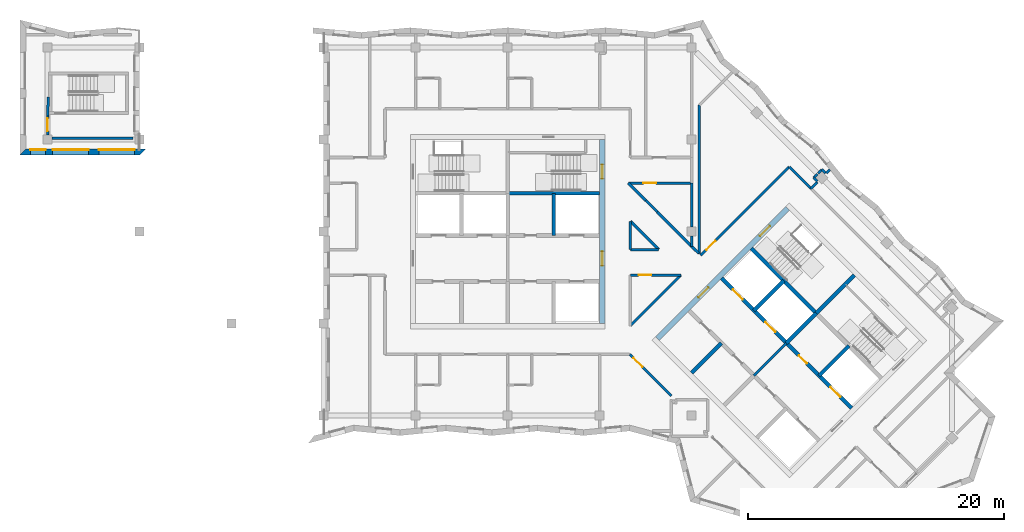
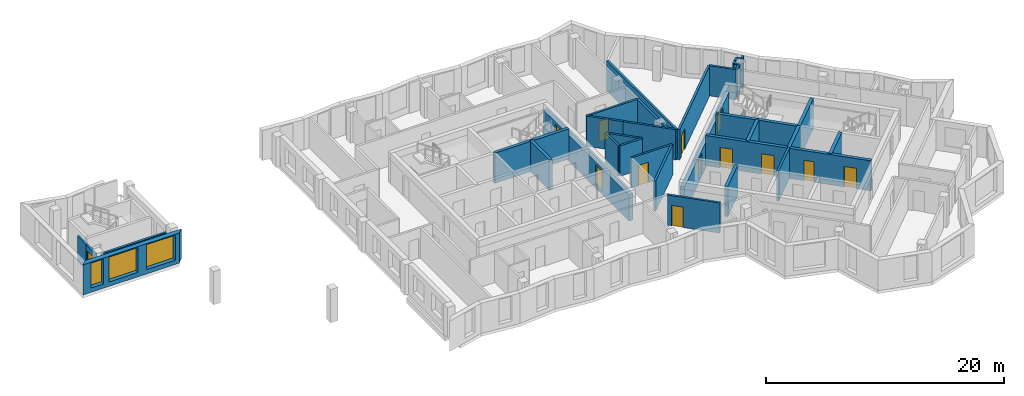
# One storey, part 4 of 12: 37 walls, 13 doors, 3 windows, 16 openings.
"""IFC4 building model written with IfcOpenShell, lengths in metres."""

from ifc_helpers import new_model, si_unit, direction, frame, frame_2d, origin, place, context, subcontext, project, spatial, polyline, rectangle, outline, extrude, material, layer, layer_set, type_object, element, fill, save


model = new_model("IFC4")

# Units and contexts
model_context = context("Model", 3, precision=1e-05, world=origin(), true_north=direction((0.0, 1.0)))
body_context = subcontext(model_context, "Body", "Model", "MODEL_VIEW")
ifc_project = project(units=[si_unit("LENGTHUNIT", "METRE"), si_unit("AREAUNIT", "SQUARE_METRE"), si_unit("VOLUMEUNIT", "CUBIC_METRE"), si_unit("PLANEANGLEUNIT", "RADIAN"), si_unit("MASSUNIT", "GRAM", prefix="KILO")], contexts=[model_context])

# Site, building, storey
site_placement = place(None, origin())
site = spatial("IfcSite", under=ifc_project, at=site_placement, CompositionType="ELEMENT")
building_placement = place(site_placement, origin())
building = spatial("IfcBuilding", under=site, at=building_placement, Name="Windrow Commons", CompositionType="ELEMENT")
storey_placement = place(building_placement, frame((0.0, 0.0, 250.6)))
storey = spatial("IfcBuildingStorey", under=building, at=storey_placement, Name="L68", CompositionType="ELEMENT", Elevation=250.6)

# Wall, openings, windows
ifc_material_1 = material(Name="Brick masonry, red clay brick", Category="masonry")
ifc_layer_1 = layer(ifc_material_1, 0.45)
ifc_layer_set_1 = layer_set([ifc_layer_1], Name="Brick facade wall 450")
wall_type_1 = type_object("IfcWallType", Name="Brick facade wall 450", PredefinedType="SOLIDWALL", material=ifc_layer_set_1)
wall_1_placement = place(storey_placement, frame((26.864, 63.825, 0.0), z_axis=(0.0, 0.0, 1.0), x_axis=(1.0, 0.0, 0.0)))
wall_1 = element("IfcWall", 1, at=wall_1_placement, inside=storey, type_object=wall_type_1, Name="Brick facade wall L68 32", PredefinedType="SOLIDWALL", context=body_context, shape_type="SweptSolid", body=[
    extrude(outline(polyline([(-0.225, -0.225), (9.136, -0.225), (9.586, 0.225), (0.225, 0.225), (-0.225, -0.225)])), origin(), (0.0, 0.0, 1.0), 3.1),
])
opening_1_placement = place(wall_1_placement, frame((2.336, 0.0, 0.45)))
opening_1 = element("IfcOpeningElement", 2, at=opening_1_placement, cuts=wall_1, Name="Opening W1V", PredefinedType="OPENING", context=body_context, shape_type="SweptSolid", body=[
    extrude(rectangle(XDim=2.8, YDim=2.55, at=frame_2d((1.4, 1.275))), frame((0.0, 0.235, 0.0), z_axis=(0.0, -1.0, 0.0), x_axis=(1.0, 0.0, 0.0)), (0.0, 0.0, 1.0), 0.47),
])
opening_2_placement = place(wall_1_placement, frame((5.9485, 0.0, 0.45)))
opening_2 = element("IfcOpeningElement", 3, at=opening_2_placement, cuts=wall_1, Name="Opening W1V", PredefinedType="OPENING", context=body_context, shape_type="SweptSolid", body=[
    extrude(rectangle(XDim=2.8, YDim=2.55, at=frame_2d((1.4, 1.275))), frame((0.0, 0.235, 0.0), z_axis=(0.0, -1.0, 0.0), x_axis=(1.0, 0.0, 0.0)), (0.0, 0.0, 1.0), 0.47),
])
opening_3_placement = place(wall_1_placement, frame((0.5805, 0.0, 0.45)))
opening_3 = element("IfcOpeningElement", 4, at=opening_3_placement, cuts=wall_1, Name="Opening W7F", PredefinedType="OPENING", context=body_context, shape_type="SweptSolid", body=[
    extrude(rectangle(XDim=1.2, YDim=2.55, at=frame_2d((0.6, 1.275))), frame((0.0, 0.235, 0.0), z_axis=(0.0, -1.0, 0.0), x_axis=(1.0, 0.0, 0.0)), (0.0, 0.0, 1.0), 0.47),
])
ifc_material_2 = material(Name="Clear float glass in anodised aluminium frame", Category="aluminium")
window_type_1 = type_object("IfcWindowType", Name="Window W1V bedroom 2800x2550", PartitioningType="SINGLE_PANEL", PredefinedType="WINDOW", material=ifc_material_2)
window_1_placement = place(opening_1_placement, origin())
window_1 = element("IfcWindow", 5, at=window_1_placement, inside=storey, type_object=window_type_1, Name="Window L68 32.1", OverallHeight=2.55, OverallWidth=2.8, PartitioningType="SINGLE_PANEL", PredefinedType="WINDOW", context=body_context, shape_type="SweptSolid", body=[
    extrude(rectangle(XDim=2.8, YDim=2.55, at=frame_2d((1.4, 1.275))), frame((0.0, 0.205, 0.0), z_axis=(0.0, -1.0, 0.0), x_axis=(1.0, 0.0, 0.0)), (0.0, 0.0, 1.0), 0.06),
])
fill(opening_1, window_1)
window_2_placement = place(opening_2_placement, origin())
window_2 = element("IfcWindow", 6, at=window_2_placement, inside=storey, type_object=window_type_1, Name="Window L68 32.2", OverallHeight=2.55, OverallWidth=2.8, PartitioningType="SINGLE_PANEL", PredefinedType="WINDOW", context=body_context, shape_type="SweptSolid", body=[
    extrude(rectangle(XDim=2.8, YDim=2.55, at=frame_2d((1.4, 1.275))), frame((0.0, 0.205, 0.0), z_axis=(0.0, -1.0, 0.0), x_axis=(1.0, 0.0, 0.0)), (0.0, 0.0, 1.0), 0.06),
])
fill(opening_2, window_2)
ifc_material_3 = material(Name="Clear float glass in anodised aluminium frame", Category="aluminium")
window_type_2 = type_object("IfcWindowType", Name="Window W7 notch 1200x2550", PartitioningType="SINGLE_PANEL", PredefinedType="WINDOW", material=ifc_material_3)
window_3_placement = place(opening_3_placement, origin())
window_3 = element("IfcWindow", 7, at=window_3_placement, inside=storey, type_object=window_type_2, Name="Window L68 32.3", OverallHeight=2.55, OverallWidth=1.2, PartitioningType="SINGLE_PANEL", PredefinedType="WINDOW", context=body_context, shape_type="SweptSolid", body=[
    extrude(rectangle(XDim=1.2, YDim=2.55, at=frame_2d((0.6, 1.275))), frame((0.0, 0.205, 0.0), z_axis=(0.0, -1.0, 0.0), x_axis=(1.0, 0.0, 0.0)), (0.0, 0.0, 1.0), 0.06),
])
fill(opening_3, window_3)

# Wall
ifc_material_4 = material(Name="Blockwork partition", Category="masonry")
ifc_layer_2 = layer(ifc_material_4, 0.2)
ifc_layer_set_2 = layer_set([ifc_layer_2], Name="Fire lobby partition 200")
wall_type_2 = type_object("IfcWallType", Name="Fire lobby partition 200", PredefinedType="PARTITIONING", material=ifc_layer_set_2)
wall_2_placement = place(storey_placement, frame((84.079, 46.332, 0.0), z_axis=(0.0, 0.0, 1.0), x_axis=(0.7071067812, 0.7071067812, 0.0)))
element("IfcWall", 8, at=wall_2_placement, inside=storey, type_object=wall_type_2, Name="W-core-lobby-B-L68", PredefinedType="PARTITIONING", context=body_context, shape_type="SweptSolid", body=[
    extrude(rectangle(XDim=3.6, YDim=0.2, at=frame_2d((1.8, 0.0))), origin(), (0.0, 0.0, 1.0), 3.1),
])

# Wall, opening, door
ifc_material_5 = material(Name="Blockwork partition", Category="masonry")
ifc_layer_3 = layer(ifc_material_5, 0.2)
ifc_layer_set_3 = layer_set([ifc_layer_3], Name="IW-CORRIDOR-200")
wall_type_3 = type_object("IfcWallType", Name="IW-CORRIDOR-200", PredefinedType="PARTITIONING", material=ifc_layer_set_3)
wall_3_placement = place(storey_placement, frame((79.9075, 55.7385, 0.0), z_axis=(0.0, 0.0, 1.0), x_axis=(0.7071067812, 0.7071067812, 0.0)))
wall_3 = element("IfcWall", 9, at=wall_3_placement, inside=storey, type_object=wall_type_3, Name="W-L68-W006", PredefinedType="PARTITIONING", context=body_context, shape_type="SweptSolid", body=[
    extrude(rectangle(XDim=9.7977, YDim=0.2, at=frame_2d((4.8989, 0.0))), origin(), (0.0, 0.0, 1.0), 3.1),
])
opening_4_placement = place(wall_3_placement, frame((0.617, 0.0, 0.0)))
opening_4 = element("IfcOpeningElement", 10, at=opening_4_placement, cuts=wall_3, Name="Opening D310F", PredefinedType="OPENING", context=body_context, shape_type="SweptSolid", body=[
    extrude(rectangle(XDim=1.0, YDim=2.1, at=frame_2d((0.5, 1.05))), frame((0.0, 0.11, 0.0), z_axis=(0.0, -1.0, 0.0), x_axis=(1.0, 0.0, 0.0)), (0.0, 0.0, 1.0), 0.22),
])
ifc_material_6 = material(Name="Timber door leaf", Category="wood")
door_type_1 = type_object("IfcDoorType", Name="DT-AMENITY-1000", OperationType="SINGLE_SWING_LEFT", PredefinedType="DOOR", material=ifc_material_6)
door_1_placement = place(opening_4_placement, origin())
door_1 = element("IfcDoor", 11, at=door_1_placement, inside=storey, type_object=door_type_1, Name="D-L68-D019", OperationType="SINGLE_SWING_RIGHT", OverallHeight=2.1, OverallWidth=1.0, PredefinedType="DOOR", context=body_context, shape_type="SweptSolid", body=[
    extrude(rectangle(XDim=1.0, YDim=2.1, at=frame_2d((0.5, 1.05))), frame((0.0, 0.025, 0.0), z_axis=(0.0, -1.0, 0.0), x_axis=(1.0, 0.0, 0.0)), (0.0, 0.0, 1.0), 0.05),
])
fill(opening_4, door_1)

# Walls
wall_4_placement = place(storey_placement, frame((29.15, 64.9, 0.0), z_axis=(0.0, 0.0, 1.0), x_axis=(1.0, 0.0, 0.0)))
element("IfcWall", 12, at=wall_4_placement, inside=storey, type_object=wall_type_3, Name="W-L68-W014", PredefinedType="PARTITIONING", context=body_context, shape_type="SweptSolid", body=[
    extrude(rectangle(XDim=6.32, YDim=0.2, at=frame_2d((3.16, 0.0))), origin(), (0.0, 0.0, 1.0), 2.6),
])
wall_5_placement = place(storey_placement, frame((74.4015, 50.2325, 0.0), z_axis=(0.0, 0.0, 1.0), x_axis=(0.7071067812, 0.7071067812, 0.0)))
element("IfcWall", 13, at=wall_5_placement, inside=storey, type_object=wall_type_3, Name="W-L68-W017", PredefinedType="PARTITIONING", context=body_context, shape_type="SweptSolid", body=[
    extrude(rectangle(XDim=5.6088, YDim=0.2, at=frame_2d((2.8044, 0.0))), origin(), (0.0, 0.0, 1.0), 3.1),
])

# Wall, opening, door
wall_6_placement = place(storey_placement, frame((74.246, 61.4, 0.0), z_axis=(0.0, 0.0, 1.0), x_axis=(1.0, 0.0, 0.0)))
wall_6 = element("IfcWall", 14, at=wall_6_placement, inside=storey, type_object=wall_type_3, Name="W-L68-W019", PredefinedType="PARTITIONING", context=body_context, shape_type="SweptSolid", body=[
    extrude(rectangle(XDim=4.954, YDim=0.2, at=frame_2d((2.477, 0.0))), origin(), (0.0, 0.0, 1.0), 3.1),
])
opening_5_placement = place(wall_6_placement, frame((1.1698, 0.0, 0.0)))
opening_5 = element("IfcOpeningElement", 15, at=opening_5_placement, cuts=wall_6, Name="Opening D310F", PredefinedType="OPENING", context=body_context, shape_type="SweptSolid", body=[
    extrude(rectangle(XDim=1.0, YDim=2.1, at=frame_2d((0.5, 1.05))), frame((0.0, 0.11, 0.0), z_axis=(0.0, -1.0, 0.0), x_axis=(1.0, 0.0, 0.0)), (0.0, 0.0, 1.0), 0.22),
])
door_2_placement = place(opening_5_placement, origin())
door_2 = element("IfcDoor", 16, at=door_2_placement, inside=storey, type_object=door_type_1, Name="D-L68-D017", OperationType="SINGLE_SWING_RIGHT", OverallHeight=2.1, OverallWidth=1.0, PredefinedType="DOOR", context=body_context, shape_type="SweptSolid", body=[
    extrude(rectangle(XDim=1.0, YDim=2.1, at=frame_2d((0.5, 1.05))), frame((0.0, 0.025, 0.0), z_axis=(0.0, -1.0, 0.0), x_axis=(1.0, 0.0, 0.0)), (0.0, 0.0, 1.0), 0.05),
])
fill(opening_5, door_2)

wall_7_placement = place(storey_placement, frame((74.3468, 47.9968, 0.0), z_axis=(0.0, 0.0, 1.0), x_axis=(0.7071067812, -0.7071067812, 0.0)))
wall_7 = element("IfcWall", 17, at=wall_7_placement, inside=storey, type_object=wall_type_3, Name="W-L68-W023", PredefinedType="PARTITIONING", context=body_context, shape_type="SweptSolid", body=[
    extrude(rectangle(XDim=4.5962, YDim=0.2, at=frame_2d((2.2981, 0.0))), origin(), (0.0, 0.0, 1.0), 3.1),
])
opening_6_placement = place(wall_7_placement, frame((0.4007, 0.0, 0.0)))
opening_6 = element("IfcOpeningElement", 18, at=opening_6_placement, cuts=wall_7, Name="Opening D310F", PredefinedType="OPENING", context=body_context, shape_type="SweptSolid", body=[
    extrude(rectangle(XDim=1.0, YDim=2.1, at=frame_2d((0.5, 1.05))), frame((0.0, 0.11, 0.0), z_axis=(0.0, -1.0, 0.0), x_axis=(1.0, 0.0, 0.0)), (0.0, 0.0, 1.0), 0.22),
])
door_3_placement = place(opening_6_placement, origin())
door_3 = element("IfcDoor", 19, at=door_3_placement, inside=storey, type_object=door_type_1, Name="D-L68-D006", OperationType="SINGLE_SWING_LEFT", OverallHeight=2.1, OverallWidth=1.0, PredefinedType="DOOR", context=body_context, shape_type="SweptSolid", body=[
    extrude(rectangle(XDim=1.0, YDim=2.1, at=frame_2d((0.5, 1.05))), frame((0.0, 0.025, 0.0), z_axis=(0.0, -1.0, 0.0), x_axis=(1.0, 0.0, 0.0)), (0.0, 0.0, 1.0), 0.05),
])
fill(opening_6, door_3)

# Wall
wall_8_placement = place(storey_placement, frame((76.5129, 59.1309, 0.0), z_axis=(0.0, 0.0, 1.0), x_axis=(0.7073586681, -0.7068548045, 0.0)))
element("IfcWall", 20, at=wall_8_placement, inside=storey, type_object=wall_type_3, Name="W-L68-W024", PredefinedType="PARTITIONING", context=body_context, shape_type="SweptSolid", body=[
    extrude(rectangle(XDim=4.5647, YDim=0.2, at=frame_2d((2.2824, 0.0))), origin(), (0.0, 0.0, 1.0), 3.1),
])

# Wall, opening, door
wall_9_placement = place(storey_placement, frame((74.402, 54.2, 0.0), z_axis=(0.0, 0.0, 1.0), x_axis=(1.0, 0.0, 0.0)))
wall_9 = element("IfcWall", 21, at=wall_9_placement, inside=storey, type_object=wall_type_3, Name="W-L68-W032", PredefinedType="PARTITIONING", context=body_context, shape_type="SweptSolid", body=[
    extrude(rectangle(XDim=3.966, YDim=0.2, at=frame_2d((1.983, 0.0))), origin(), (0.0, 0.0, 1.0), 3.1),
])
opening_7_placement = place(wall_9_placement, frame((0.6487, 0.0, 0.0)))
opening_7 = element("IfcOpeningElement", 22, at=opening_7_placement, cuts=wall_9, Name="Opening D410F", PredefinedType="OPENING", context=body_context, shape_type="SweptSolid", body=[
    extrude(rectangle(XDim=1.0, YDim=2.1, at=frame_2d((0.5, 1.05))), frame((0.0, 0.11, 0.0), z_axis=(0.0, -1.0, 0.0), x_axis=(1.0, 0.0, 0.0)), (0.0, 0.0, 1.0), 0.22),
])
ifc_material_7 = material(Name="Timber door leaf", Category="wood")
door_type_2 = type_object("IfcDoorType", Name="DT-SERVICE-1000", OperationType="SINGLE_SWING_LEFT", PredefinedType="DOOR", material=ifc_material_7)
door_4_placement = place(opening_7_placement, origin())
door_4 = element("IfcDoor", 23, at=door_4_placement, inside=storey, type_object=door_type_2, Name="D-L68-D007", OperationType="SINGLE_SWING_RIGHT", OverallHeight=2.1, OverallWidth=1.0, PredefinedType="DOOR", context=body_context, shape_type="SweptSolid", body=[
    extrude(rectangle(XDim=1.0, YDim=2.1, at=frame_2d((0.5, 1.05))), frame((0.0, 0.025, 0.0), z_axis=(0.0, -1.0, 0.0), x_axis=(1.0, 0.0, 0.0)), (0.0, 0.0, 1.0), 0.05),
])
fill(opening_7, door_4)

# Walls
wall_10_placement = place(storey_placement, frame((74.4055, 58.4175, 0.0), z_axis=(0.0, 0.0, 1.0), x_axis=(0.7071067812, -0.7071067812, 0.0)))
element("IfcWall", 24, at=wall_10_placement, inside=storey, type_object=wall_type_3, Name="W-L68-W039", PredefinedType="PARTITIONING", context=body_context, shape_type="SweptSolid", body=[
    extrude(rectangle(XDim=3.1282, YDim=0.2, at=frame_2d((1.5641, 0.0))), origin(), (0.0, 0.0, 1.0), 3.1),
])
wall_11_placement = place(storey_placement, frame((86.8413, 62.6693, 0.0), z_axis=(0.0, 0.0, 1.0), x_axis=(0.7071067812, -0.7071067812, 0.0)))
element("IfcWall", 25, at=wall_11_placement, inside=storey, type_object=wall_type_3, Name="W-L68-W053", PredefinedType="PARTITIONING", context=body_context, shape_type="SweptSolid", body=[
    extrude(rectangle(XDim=2.3985, YDim=0.2, at=frame_2d((1.1992, 0.0))), origin(), (0.0, 0.0, 1.0), 3.1),
])
for number, where, z_axis, x_axis, name in (
    (26, (74.4, 56.202, 0.0), (0.0, 0.0, 1.0), (0.0, 1.0, 0.0), "W-L68-W056"),
    (27, (74.402, 56.2, 0.0), (0.0, 0.0, 1.0), (1.0, 0.0, 0.0), "W-L68-W057"),
):
    element("IfcWall", number, at=place(storey_placement, frame(where, z_axis=z_axis, x_axis=x_axis)), inside=storey, type_object=wall_type_3, Name=name, PredefinedType="PARTITIONING", context=body_context, shape_type="SweptSolid", body=[
        extrude(rectangle(XDim=2.21, YDim=0.2, at=frame_2d((1.105, 0.0))), origin(), (0.0, 0.0, 1.0), 3.1),
    ])
wall_12_placement = place(storey_placement, frame((74.2426, 61.3946, 0.0), z_axis=(0.0, 0.0, 1.0), x_axis=(0.7071067812, -0.7071067812, 0.0)))
element("IfcWall", 28, at=wall_12_placement, inside=storey, type_object=wall_type_3, Name="W-L68-W072", PredefinedType="PARTITIONING", context=body_context, shape_type="SweptSolid", body=[
    extrude(rectangle(XDim=1.9148, YDim=0.2, at=frame_2d((0.9574, 0.0))), origin(), (0.0, 0.0, 1.0), 3.1),
])

# Wall, opening, door
wall_13_placement = place(storey_placement, frame((28.8, 65.15, 0.0), z_axis=(0.0, 0.0, 1.0), x_axis=(0.0, 1.0, 0.0)))
wall_13 = element("IfcWall", 29, at=wall_13_placement, inside=storey, type_object=wall_type_3, Name="W-L68-W078", PredefinedType="PARTITIONING", context=body_context, shape_type="SweptSolid", body=[
    extrude(rectangle(XDim=1.506, YDim=0.2, at=frame_2d((0.753, 0.0))), origin(), (0.0, 0.0, 1.0), 2.6),
])
opening_8_placement = place(wall_13_placement, frame((0.3061, 0.0, 0.0)))
opening_8 = element("IfcOpeningElement", 30, at=opening_8_placement, cuts=wall_13, Name="Opening D310F", PredefinedType="OPENING", context=body_context, shape_type="SweptSolid", body=[
    extrude(rectangle(XDim=1.0, YDim=2.1, at=frame_2d((0.5, 1.05))), frame((0.0, 0.11, 0.0), z_axis=(0.0, -1.0, 0.0), x_axis=(1.0, 0.0, 0.0)), (0.0, 0.0, 1.0), 0.22),
])
door_5_placement = place(opening_8_placement, origin())
door_5 = element("IfcDoor", 31, at=door_5_placement, inside=storey, type_object=door_type_1, Name="D-L68-D018", OperationType="SINGLE_SWING_RIGHT", OverallHeight=2.1, OverallWidth=1.0, PredefinedType="DOOR", context=body_context, shape_type="SweptSolid", body=[
    extrude(rectangle(XDim=1.0, YDim=2.1, at=frame_2d((0.5, 1.05))), frame((0.0, 0.025, 0.0), z_axis=(0.0, -1.0, 0.0), x_axis=(1.0, 0.0, 0.0)), (0.0, 0.0, 1.0), 0.05),
])
fill(opening_8, door_5)

# Walls
wall_14_placement = place(storey_placement, frame((75.6023, 60.0463, 0.0), z_axis=(0.0, 0.0, 1.0), x_axis=(0.7063318703, -0.7078808437, 0.0)))
element("IfcWall", 32, at=wall_14_placement, inside=storey, type_object=wall_type_3, Name="W-L68-W080", PredefinedType="PARTITIONING", context=body_context, shape_type="SweptSolid", body=[
    extrude(rectangle(XDim=1.2912, YDim=0.2, at=frame_2d((0.6456, 0.0))), origin(), (0.0, 0.0, 1.0), 3.1),
])
wall_15_placement = place(storey_placement, frame((28.855, 68.13, 0.0), z_axis=(0.0, 0.0, 1.0), x_axis=(-0.0372874843, -0.99930458, 0.0)))
element("IfcWall", 33, at=wall_15_placement, inside=storey, type_object=wall_type_3, Name="W-L68-W112", PredefinedType="PARTITIONING", context=body_context, shape_type="SweptSolid", body=[
    extrude(rectangle(XDim=1.475, YDim=0.2, at=frame_2d((0.7375, 0.0))), origin(), (0.0, 0.0, 1.0), 2.6),
])
ifc_material_8 = material(Name="Blockwork partition", Category="masonry")
ifc_layer_4 = layer(ifc_material_8, 0.2)
ifc_layer_set_4 = layer_set([ifc_layer_4], Name="IW-PARTY-200")
wall_type_4 = type_object("IfcWallType", Name="IW-PARTY-200", PredefinedType="PARTITIONING", material=ifc_layer_set_4)
wall_16_placement = place(storey_placement, frame((79.8, 55.844, 0.0), z_axis=(0.0, 0.0, 1.0), x_axis=(0.0, 1.0, 0.0)))
element("IfcWall", 34, at=wall_16_placement, inside=storey, type_object=wall_type_4, Name="W-L68-W003", PredefinedType="PARTITIONING", context=body_context, shape_type="SweptSolid", body=[
    extrude(rectangle(XDim=11.664, YDim=0.2, at=frame_2d((5.832, 0.0))), origin(), (0.0, 0.0, 1.0), 3.1),
])
wall_17_placement = place(storey_placement, frame((79.2, 57.95, 0.0), z_axis=(0.0, 0.0, 1.0), x_axis=(0.0, 1.0, 0.0)))
element("IfcWall", 35, at=wall_17_placement, inside=storey, type_object=wall_type_4, Name="W-L68-W037", PredefinedType="PARTITIONING", context=body_context, shape_type="SweptSolid", body=[
    extrude(rectangle(XDim=3.45, YDim=0.2, at=frame_2d((1.725, 0.0))), origin(), (0.0, 0.0, 1.0), 3.1),
])
wall_18_placement = place(storey_placement, frame((79.2, 56.444, 0.0), z_axis=(0.0, 0.0, 1.0), x_axis=(0.0, 1.0, 0.0)))
element("IfcWall", 36, at=wall_18_placement, inside=storey, type_object=wall_type_4, Name="W-L68-W085", PredefinedType="PARTITIONING", context=body_context, shape_type="SweptSolid", body=[
    extrude(rectangle(XDim=0.806, YDim=0.2, at=frame_2d((0.403, 0.0))), origin(), (0.0, 0.0, 1.0), 3.1),
])
wall_19_placement = place(storey_placement, frame((88.5335, 60.9705, 0.0), z_axis=(0.0, 0.0, 1.0), x_axis=(0.7071067812, 0.7071067812, 0.0)))
element("IfcWall", 37, at=wall_19_placement, inside=storey, type_object=wall_type_4, Name="W-L68-W089", PredefinedType="PARTITIONING", context=body_context, shape_type="SweptSolid", body=[
    extrude(rectangle(XDim=0.7043, YDim=0.2, at=frame_2d((0.3522, 0.0))), origin(), (0.0, 0.0, 1.0), 3.1),
])
for number, where, z_axis, x_axis, name in (
    (38, (88.7426, 61.8146, 0.0), (0.0, 0.0, 1.0), (0.7071067812, -0.7071067812, 0.0), "W-L68-W101"),
    (39, (89.3861, 62.4581, 0.0), (0.0, 0.0, 1.0), (0.7071067812, -0.7071067812, 0.0), "W-L68-W102"),
    (40, (88.7413, 61.8147, 0.0), (0.0, 0.0, 1.0), (0.7071067812, 0.7071067812, 0.0), "W-L68-W103"),
    (41, (89.0953, 62.1687, 0.0), (0.0, 0.0, 1.0), (0.7071067812, 0.7071067812, 0.0), "W-L68-W104"),
):
    element("IfcWall", number, at=place(storey_placement, frame(where, z_axis=z_axis, x_axis=x_axis)), inside=storey, type_object=wall_type_4, Name=name, PredefinedType="PARTITIONING", context=body_context, shape_type="SweptSolid", body=[
        extrude(rectangle(XDim=0.4101, YDim=0.2, at=frame_2d((0.2051, 0.0))), origin(), (0.0, 0.0, 1.0), 3.1),
    ])
wall_20_placement = place(storey_placement, frame((89.7315, 62.1685, 0.0), z_axis=(0.0, 0.0, 1.0), x_axis=(0.7071067812, 0.7071067812, 0.0)))
element("IfcWall", 42, at=wall_20_placement, inside=storey, type_object=wall_type_4, Name="W-L68-W109", PredefinedType="PARTITIONING", context=body_context, shape_type="SweptSolid", body=[
    extrude(rectangle(XDim=0.3992, YDim=0.2, at=frame_2d((0.1996, 0.0))), origin(), (0.0, 0.0, 1.0), 3.1),
])

# Wall, openings, doors
ifc_material_9 = material(Name="Concrete C40/50", Category="concrete")
ifc_layer_5 = layer(ifc_material_9, 0.4)
ifc_layer_set_5 = layer_set([ifc_layer_5], Name="RC CORE WALL 400 C40/50")
wall_type_5 = type_object("IfcWallType", Name="RC CORE WALL 400 C40/50", PredefinedType="SHEAR", material=ifc_layer_set_5)
wall_21_placement = place(storey_placement, frame((72.2, 50.4, -0.3), z_axis=(0.0, 0.0, 1.0), x_axis=(0.0, 1.0, 0.0)))
wall_21 = element("IfcWall", 43, at=wall_21_placement, inside=storey, type_object=wall_type_5, Name="Core A wall outer-E", PredefinedType="SHEAR", context=body_context, shape_type="SweptSolid", body=[
    extrude(rectangle(XDim=14.4, YDim=0.4, at=frame_2d((7.2, 0.0))), origin(), (0.0, 0.0, 1.0), 2.7),
])
opening_9_placement = place(wall_21_placement, frame((4.55, 0.0, 0.3)))
opening_9 = element("IfcOpeningElement", 44, at=opening_9_placement, cuts=wall_21, Name="Opening D6", PredefinedType="OPENING", context=body_context, shape_type="SweptSolid", body=[
    extrude(rectangle(XDim=1.1, YDim=2.1, at=frame_2d((0.55, 1.05))), frame((0.0, 0.21, 0.0), z_axis=(0.0, -1.0, 0.0), x_axis=(1.0, 0.0, 0.0)), (0.0, 0.0, 1.0), 0.42),
])
opening_10_placement = place(wall_21_placement, frame((11.35, 0.0, 0.3)))
opening_10 = element("IfcOpeningElement", 45, at=opening_10_placement, cuts=wall_21, Name="Opening D7", PredefinedType="OPENING", context=body_context, shape_type="SweptSolid", body=[
    extrude(rectangle(XDim=1.1, YDim=2.1, at=frame_2d((0.55, 1.05))), frame((0.0, 0.21, 0.0), z_axis=(0.0, -1.0, 0.0), x_axis=(1.0, 0.0, 0.0)), (0.0, 0.0, 1.0), 0.42),
])
ifc_material_10 = material(Name="Steel fire door leaf", Category="steel")
door_type_3 = type_object("IfcDoorType", Name="Core lobby door 1100", OperationType="SINGLE_SWING_LEFT", PredefinedType="DOOR", material=ifc_material_10)
door_6_placement = place(opening_9_placement, origin())
door_6 = element("IfcDoor", 46, at=door_6_placement, inside=storey, type_object=door_type_3, Name="Lift lobby door", OperationType="DOUBLE_DOOR_SINGLE_SWING", OverallHeight=2.1, OverallWidth=1.1, PredefinedType="DOOR", context=body_context, shape_type="SweptSolid", body=[
    extrude(rectangle(XDim=1.1, YDim=2.1, at=frame_2d((0.55, 1.05))), frame((0.0, 0.025, 0.0), z_axis=(0.0, -1.0, 0.0), x_axis=(1.0, 0.0, 0.0)), (0.0, 0.0, 1.0), 0.05),
])
fill(opening_9, door_6)
ifc_material_11 = material(Name="Steel fire door leaf", Category="steel")
door_type_4 = type_object("IfcDoorType", Name="Stair door 1100", OperationType="SINGLE_SWING_LEFT", PredefinedType="DOOR", material=ifc_material_11)
door_7_placement = place(opening_10_placement, origin())
door_7 = element("IfcDoor", 47, at=door_7_placement, inside=storey, type_object=door_type_4, Name="Stair door", OperationType="SINGLE_SWING_RIGHT", OverallHeight=2.1, OverallWidth=1.1, PredefinedType="DOOR", context=body_context, shape_type="SweptSolid", body=[
    extrude(rectangle(XDim=1.1, YDim=2.1, at=frame_2d((0.55, 1.05))), frame((0.0, 0.025, 0.0), z_axis=(0.0, -1.0, 0.0), x_axis=(1.0, 0.0, 0.0)), (0.0, 0.0, 1.0), 0.05),
])
fill(opening_10, door_7)

wall_22_placement = place(storey_placement, frame((76.513, 49.2312, -0.3), z_axis=(0.0, 0.0, 1.0), x_axis=(0.7071067812, 0.7071067812, 0.0)))
wall_22 = element("IfcWall", 48, at=wall_22_placement, inside=storey, type_object=wall_type_5, Name="Core B wall outer-W", PredefinedType="SHEAR", context=body_context, shape_type="SweptSolid", body=[
    extrude(rectangle(XDim=14.3999, YDim=0.4, at=frame_2d((7.2, 0.0))), origin(), (0.0, 0.0, 1.0), 2.7),
])
opening_11_placement = place(wall_22_placement, frame((4.55, 0.0, 0.3)))
opening_11 = element("IfcOpeningElement", 49, at=opening_11_placement, cuts=wall_22, Name="Opening D6", PredefinedType="OPENING", context=body_context, shape_type="SweptSolid", body=[
    extrude(rectangle(XDim=1.1, YDim=2.1, at=frame_2d((0.55, 1.05))), frame((0.0, 0.21, 0.0), z_axis=(0.0, -1.0, 0.0), x_axis=(1.0, 0.0, 0.0)), (0.0, 0.0, 1.0), 0.42),
])
opening_12_placement = place(wall_22_placement, frame((11.35, 0.0, 0.3)))
opening_12 = element("IfcOpeningElement", 50, at=opening_12_placement, cuts=wall_22, Name="Opening D7", PredefinedType="OPENING", context=body_context, shape_type="SweptSolid", body=[
    extrude(rectangle(XDim=1.1, YDim=2.1, at=frame_2d((0.55, 1.05))), frame((0.0, 0.21, 0.0), z_axis=(0.0, -1.0, 0.0), x_axis=(1.0, 0.0, 0.0)), (0.0, 0.0, 1.0), 0.42),
])
door_8_placement = place(opening_11_placement, origin())
door_8 = element("IfcDoor", 51, at=door_8_placement, inside=storey, type_object=door_type_3, Name="Lift lobby door", OperationType="DOUBLE_DOOR_SINGLE_SWING", OverallHeight=2.1, OverallWidth=1.1, PredefinedType="DOOR", context=body_context, shape_type="SweptSolid", body=[
    extrude(rectangle(XDim=1.1, YDim=2.1, at=frame_2d((0.55, 1.05))), frame((0.0, 0.025, 0.0), z_axis=(0.0, -1.0, 0.0), x_axis=(1.0, 0.0, 0.0)), (0.0, 0.0, 1.0), 0.05),
])
fill(opening_11, door_8)
door_9_placement = place(opening_12_placement, origin())
door_9 = element("IfcDoor", 52, at=door_9_placement, inside=storey, type_object=door_type_4, Name="Stair door", OperationType="SINGLE_SWING_LEFT", OverallHeight=2.1, OverallWidth=1.1, PredefinedType="DOOR", context=body_context, shape_type="SweptSolid", body=[
    extrude(rectangle(XDim=1.1, YDim=2.1, at=frame_2d((0.55, 1.05))), frame((0.0, 0.025, 0.0), z_axis=(0.0, -1.0, 0.0), x_axis=(1.0, 0.0, 0.0)), (0.0, 0.0, 1.0), 0.05),
])
fill(opening_12, door_9)

# Walls
ifc_material_12 = material(Name="Concrete C40/50", Category="concrete")
ifc_layer_6 = layer(ifc_material_12, 0.3)
ifc_layer_set_6 = layer_set([ifc_layer_6], Name="RC SHAFT WALL 300 C40/50")
wall_type_6 = type_object("IfcWallType", Name="RC SHAFT WALL 300 C40/50", PredefinedType="SOLIDWALL", material=ifc_layer_set_6)
wall_23_placement = place(storey_placement, frame((68.4, 57.3, 0.0), z_axis=(0.0, 0.0, 1.0), x_axis=(0.0, 1.0, 0.0)))
element("IfcWall", 53, at=wall_23_placement, inside=storey, type_object=wall_type_6, Name="Core A wall shaft-N3", PredefinedType="SOLIDWALL", context=body_context, shape_type="SweptSolid", body=[
    extrude(rectangle(XDim=3.3, YDim=0.3, at=frame_2d((1.65, 0.0))), origin(), (0.0, 0.0, 1.0), 3.1),
])
wall_24_placement = place(storey_placement, frame((64.8, 60.6, 0.0), z_axis=(0.0, 0.0, 1.0), x_axis=(1.0, 0.0, 0.0)))
element("IfcWall", 54, at=wall_24_placement, inside=storey, type_object=wall_type_6, Name="Core A wall stair-S2", PredefinedType="SOLIDWALL", context=body_context, shape_type="SweptSolid", body=[
    extrude(rectangle(XDim=7.2, YDim=0.3, at=frame_2d((3.6, 0.0))), origin(), (0.0, 0.0, 1.0), 3.1),
])
for number, where, z_axis, x_axis, name in (
    (55, (79.2, 46.5442, 0.0), (0.0, 0.0, 1.0), (0.7071219326, 0.7070916295, 0.0), "Core B wall shaft-S1"),
    (56, (84.079, 51.4232, 0.0), (0.0, 0.0, 1.0), (0.7071219326, 0.7070916295, 0.0), "Core B wall shaft-N1"),
):
    element("IfcWall", number, at=place(storey_placement, frame(where, z_axis=z_axis, x_axis=x_axis)), inside=storey, type_object=wall_type_6, Name=name, PredefinedType="SOLIDWALL", context=body_context, shape_type="SweptSolid", body=[
        extrude(rectangle(XDim=3.3, YDim=0.3, at=frame_2d((1.65, 0.0))), origin(), (0.0, 0.0, 1.0), 3.1),
    ])
for number, where, z_axis, x_axis, name in (
    (57, (86.6246, 48.8776, 0.0), (0.0, 0.0, 1.0), (0.7071067812, 0.7071067812, 0.0), "Core B wall shaft-N2"),
    (58, (89.1702, 46.332, 0.0), (0.0, 0.0, 1.0), (0.7071067812, 0.7071067812, 0.0), "Core B wall shaft-N3"),
):
    element("IfcWall", number, at=place(storey_placement, frame(where, z_axis=z_axis, x_axis=x_axis)), inside=storey, type_object=wall_type_6, Name=name, PredefinedType="SOLIDWALL", context=body_context, shape_type="SweptSolid", body=[
        extrude(rectangle(XDim=3.3001, YDim=0.3, at=frame_2d((1.6501, 0.0))), origin(), (0.0, 0.0, 1.0), 3.1),
    ])

# Wall, openings, doors
wall_25_placement = place(storey_placement, frame((81.5335, 53.9688, 0.0), z_axis=(0.0, 0.0, 1.0), x_axis=(0.707103309, -0.7071102534, 0.0)))
wall_25 = element("IfcWall", 59, at=wall_25_placement, inside=storey, type_object=wall_type_6, Name="Core B wall lobby-N", PredefinedType="SOLIDWALL", context=body_context, shape_type="SweptSolid", body=[
    extrude(rectangle(XDim=14.4, YDim=0.3, at=frame_2d((7.2, 0.0))), origin(), (0.0, 0.0, 1.0), 3.1),
])
opening_13_placement = place(wall_25_placement, frame((8.55, 0.0, 0.0)))
opening_13 = element("IfcOpeningElement", 60, at=opening_13_placement, cuts=wall_25, Name="Opening D8", PredefinedType="OPENING", context=body_context, shape_type="SweptSolid", body=[
    extrude(rectangle(XDim=0.9, YDim=2.1, at=frame_2d((0.45, 1.05))), frame((0.0, 0.16, 0.0), z_axis=(0.0, -1.0, 0.0), x_axis=(1.0, 0.0, 0.0)), (0.0, 0.0, 1.0), 0.32),
])
opening_14_placement = place(wall_25_placement, frame((1.25, 0.0, 0.0)))
opening_14 = element("IfcOpeningElement", 61, at=opening_14_placement, cuts=wall_25, Name="Opening LD", PredefinedType="OPENING", context=body_context, shape_type="SweptSolid", body=[
    extrude(rectangle(XDim=1.1, YDim=2.1, at=frame_2d((0.55, 1.05))), frame((0.0, 0.16, 0.0), z_axis=(0.0, -1.0, 0.0), x_axis=(1.0, 0.0, 0.0)), (0.0, 0.0, 1.0), 0.32),
])
opening_15_placement = place(wall_25_placement, frame((4.85, 0.0, 0.0)))
opening_15 = element("IfcOpeningElement", 62, at=opening_15_placement, cuts=wall_25, Name="Opening LD", PredefinedType="OPENING", context=body_context, shape_type="SweptSolid", body=[
    extrude(rectangle(XDim=1.1, YDim=2.1, at=frame_2d((0.55, 1.05))), frame((0.0, 0.16, 0.0), z_axis=(0.0, -1.0, 0.0), x_axis=(1.0, 0.0, 0.0)), (0.0, 0.0, 1.0), 0.32),
])
opening_16_placement = place(wall_25_placement, frame((12.05, 0.0, 0.0)))
opening_16 = element("IfcOpeningElement", 63, at=opening_16_placement, cuts=wall_25, Name="Opening LD", PredefinedType="OPENING", context=body_context, shape_type="SweptSolid", body=[
    extrude(rectangle(XDim=1.1, YDim=2.1, at=frame_2d((0.55, 1.05))), frame((0.0, 0.16, 0.0), z_axis=(0.0, -1.0, 0.0), x_axis=(1.0, 0.0, 0.0)), (0.0, 0.0, 1.0), 0.32),
])
ifc_material_13 = material(Name="Steel fire door leaf", Category="steel")
door_type_5 = type_object("IfcDoorType", Name="Core store door 900", OperationType="SINGLE_SWING_LEFT", PredefinedType="DOOR", material=ifc_material_13)
door_10_placement = place(opening_13_placement, origin())
door_10 = element("IfcDoor", 64, at=door_10_placement, inside=storey, type_object=door_type_5, Name="Store door", OperationType="SINGLE_SWING_LEFT", OverallHeight=2.1, OverallWidth=0.9, PredefinedType="DOOR", context=body_context, shape_type="SweptSolid", body=[
    extrude(rectangle(XDim=0.9, YDim=2.1, at=frame_2d((0.45, 1.05))), frame((0.0, 0.025, 0.0), z_axis=(0.0, -1.0, 0.0), x_axis=(1.0, 0.0, 0.0)), (0.0, 0.0, 1.0), 0.05),
])
fill(opening_13, door_10)
ifc_material_14 = material(Name="Stainless steel door leaf", Category="steel")
door_type_6 = type_object("IfcDoorType", Name="Lift landing door 1100", OperationType="SLIDING_TO_LEFT", PredefinedType="DOOR", material=ifc_material_14)
door_11_placement = place(opening_14_placement, origin())
door_11 = element("IfcDoor", 65, at=door_11_placement, inside=storey, type_object=door_type_6, Name="Lift landing door", OperationType="SLIDING_TO_LEFT", OverallHeight=2.1, OverallWidth=1.1, PredefinedType="DOOR", context=body_context, shape_type="SweptSolid", body=[
    extrude(rectangle(XDim=1.1, YDim=2.1, at=frame_2d((0.55, 1.05))), frame((0.0, 0.025, 0.0), z_axis=(0.0, -1.0, 0.0), x_axis=(1.0, 0.0, 0.0)), (0.0, 0.0, 1.0), 0.05),
])
fill(opening_14, door_11)
door_12_placement = place(opening_15_placement, origin())
door_12 = element("IfcDoor", 66, at=door_12_placement, inside=storey, type_object=door_type_6, Name="Lift landing door", OperationType="SLIDING_TO_RIGHT", OverallHeight=2.1, OverallWidth=1.1, PredefinedType="DOOR", context=body_context, shape_type="SweptSolid", body=[
    extrude(rectangle(XDim=1.1, YDim=2.1, at=frame_2d((0.55, 1.05))), frame((0.0, 0.025, 0.0), z_axis=(0.0, -1.0, 0.0), x_axis=(1.0, 0.0, 0.0)), (0.0, 0.0, 1.0), 0.05),
])
fill(opening_15, door_12)
door_13_placement = place(opening_16_placement, origin())
door_13 = element("IfcDoor", 67, at=door_13_placement, inside=storey, type_object=door_type_6, Name="Lift landing door", OperationType="SLIDING_TO_RIGHT", OverallHeight=2.1, OverallWidth=1.1, PredefinedType="DOOR", context=body_context, shape_type="SweptSolid", body=[
    extrude(rectangle(XDim=1.1, YDim=2.1, at=frame_2d((0.55, 1.05))), frame((0.0, 0.025, 0.0), z_axis=(0.0, -1.0, 0.0), x_axis=(1.0, 0.0, 0.0)), (0.0, 0.0, 1.0), 0.05),
])
fill(opening_16, door_13)

# Walls
wall_26_placement = place(storey_placement, frame((83.8669, 56.3022, 0.0), z_axis=(0.0, 0.0, 1.0), x_axis=(0.7071137256, -0.7070998367, 0.0)))
element("IfcWall", 68, at=wall_26_placement, inside=storey, type_object=wall_type_6, Name="Core B wall stair-S", PredefinedType="SOLIDWALL", context=body_context, shape_type="SweptSolid", body=[
    extrude(rectangle(XDim=7.2, YDim=0.3, at=frame_2d((3.6, 0.0))), origin(), (0.0, 0.0, 1.0), 3.1),
])
wall_27_placement = place(storey_placement, frame((88.9581, 51.2111, 0.0), z_axis=(0.0, 0.0, 1.0), x_axis=(0.7071067812, 0.7071067812, 0.0)))
element("IfcWall", 69, at=wall_27_placement, inside=storey, type_object=wall_type_6, Name="Core B wall stair-mid", PredefinedType="SOLIDWALL", context=body_context, shape_type="SweptSolid", body=[
    extrude(rectangle(XDim=4.1999, YDim=0.3, at=frame_2d((2.1, 0.0))), origin(), (0.0, 0.0, 1.0), 3.1),
])

save(model, "model.ifc")
